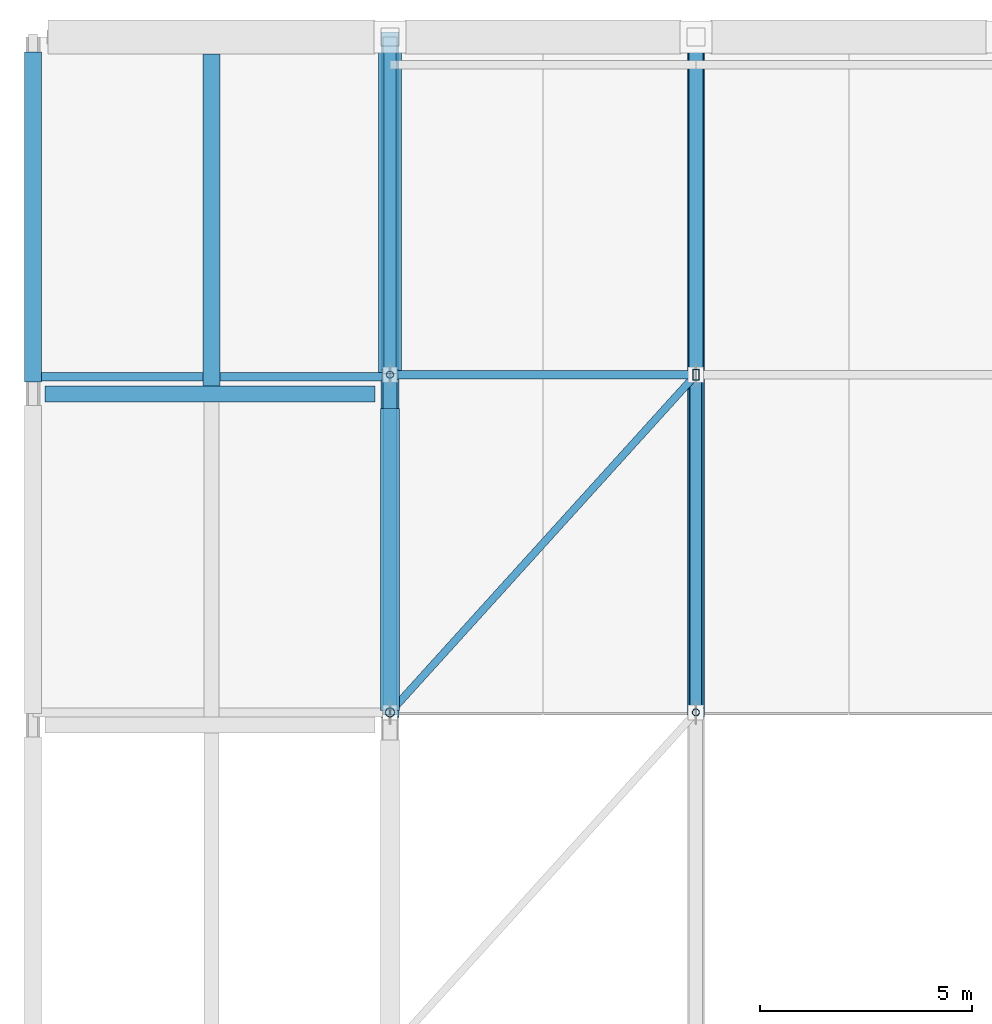
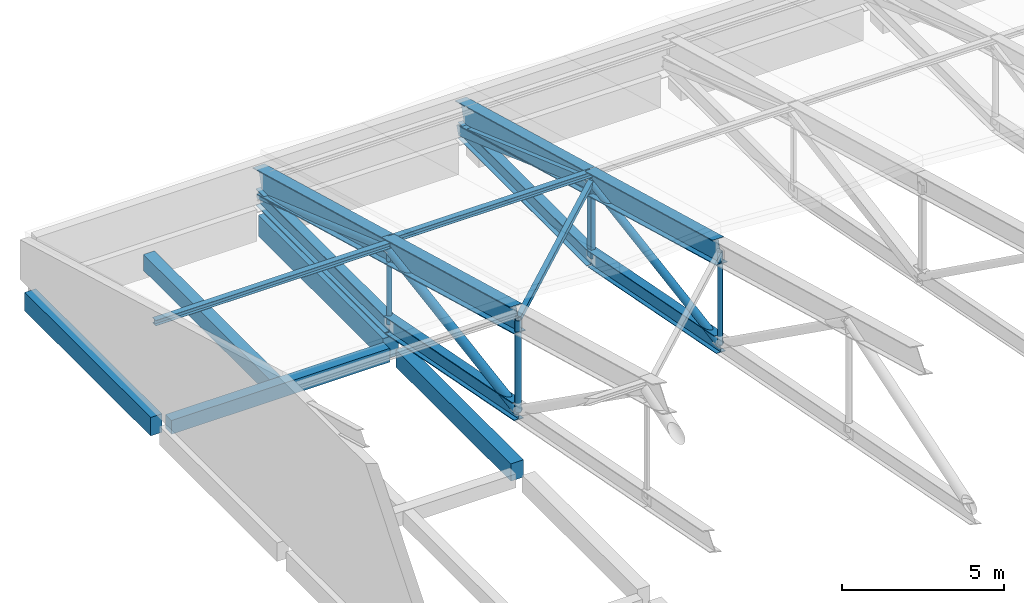
# One storey, part 17 of 53: 13 beams, 11 members.
"""IFC4 building model written with IfcOpenShell, lengths in metres."""

from ifc_helpers import new_model, si_unit, direction, frame, origin, origin_2d, place, context, subcontext, project, spatial, rectangle, hollow_rectangle, hollow_circle, i_section, extrude, material, material_profile, profile_set, type_object, element, save


model = new_model("IFC4")

# Units and contexts
model_context = context("Model", 3, precision=1e-05, world=origin(), true_north=direction((0.0, 1.0)))
body_context = subcontext(model_context, "Body", "Model", "MODEL_VIEW")
ifc_project = project(units=[si_unit("LENGTHUNIT", "METRE"), si_unit("AREAUNIT", "SQUARE_METRE"), si_unit("VOLUMEUNIT", "CUBIC_METRE"), si_unit("PLANEANGLEUNIT", "RADIAN"), si_unit("MASSUNIT", "GRAM", prefix="KILO")], contexts=[model_context])

# Site, building, storey
site_placement = place(None, origin())
site = spatial("IfcSite", under=ifc_project, at=site_placement, CompositionType="ELEMENT")
building_placement = place(site_placement, origin())
building = spatial("IfcBuilding", under=site, at=building_placement, Name="Pellamere Symphony Hall", CompositionType="ELEMENT")
storey_placement = place(building_placement, frame((0.0, 0.0, 24.0)))
storey = spatial("IfcBuildingStorey", under=building, at=storey_placement, Name="L05", CompositionType="ELEMENT", Elevation=24.0)

# Beams
ifc_material_1 = material(Name="Concrete 40 MPa", Category="concrete")
ifc_material_profile_1 = material_profile(ifc_material_1, rectangle(XDim=0.550048828125, YDim=0.800048828125, at=origin_2d()), Name="RC 550x800")
ifc_profile_set_1 = profile_set([ifc_material_profile_1], Name="Concrete 40 MPa")
beam_type_1 = type_object("IfcBeamType", Name="RC CB-05 550x800", PredefinedType="BEAM", material=ifc_profile_set_1)
beam_1_placement = place(storey_placement, frame((58.800048828125, 85.550048828125, -0.659912109375), z_axis=(0.0, 1.0, 0.0), x_axis=(-1.0, 0.0, 0.0)))
element("IfcBeam", 1, at=beam_1_placement, inside=storey, type_object=beam_type_1, Name="Girder CB-05-Y2085 (L05)", PredefinedType="BEAM", context=body_context, shape_type="SweptSolid", body=[
    extrude(rectangle(XDim=0.550048828125, YDim=0.800048828125, at=origin_2d()), origin(), (0.0, 0.0, 1.0), 7.699951171875),
])
ifc_material_profile_2 = material_profile(ifc_material_1, rectangle(XDim=0.449951171875, YDim=0.64990234375, at=origin_2d()), Name="RC 450x650")
ifc_profile_set_2 = profile_set([ifc_material_profile_2], Name="Concrete 40 MPa")
beam_type_2 = type_object("IfcBeamType", Name="RC CB-08 450x650", PredefinedType="BEAM", material=ifc_profile_set_2)
beam_2_placement = place(storey_placement, frame((58.800048828125, 77.75, -0.5849609375), z_axis=(0.0, 1.0, 0.0), x_axis=(-1.0, 0.0, 0.0)))
element("IfcBeam", 2, at=beam_2_placement, inside=storey, type_object=beam_type_2, Name="Girder CB-08-Y2084 (L05)", PredefinedType="BEAM", context=body_context, shape_type="SweptSolid", body=[
    extrude(rectangle(XDim=0.449951171875, YDim=0.64990234375, at=origin_2d()), origin(), (0.0, 0.0, 1.0), 7.10009765625),
])
ifc_material_profile_3 = material_profile(ifc_material_1, rectangle(XDim=0.39990234375, YDim=0.60009765625, at=origin_2d()), Name="RC 400x600")
ifc_profile_set_3 = profile_set([ifc_material_profile_3], Name="Concrete 40 MPa")
beam_type_3 = type_object("IfcBeamType", Name="RC CB-09 400x600", PredefinedType="BEAM", material=ifc_profile_set_3)
beam_3_placement = place(storey_placement, frame((54.60009765625, 85.389892578125, -0.574951171875), z_axis=(0.0, 1.0, 0.0), x_axis=(-1.0, 0.0, 0.0)))
element("IfcBeam", 3, at=beam_3_placement, inside=storey, type_object=beam_type_3, Name="Secondary Floor Beam CB-09-M0611 (L05)", PredefinedType="BEAM", context=body_context, shape_type="SweptSolid", body=[
    extrude(rectangle(XDim=0.39990234375, YDim=0.60009765625, at=origin_2d()), origin(), (0.0, 0.0, 1.0), 7.81005859375),
])
ifc_material_profile_4 = material_profile(ifc_material_1, rectangle(XDim=0.39990234375, YDim=0.699951171875, at=origin_2d()), Name="RC 400x700")
ifc_profile_set_4 = profile_set([ifc_material_profile_4], Name="Concrete 40 MPa")
beam_type_4 = type_object("IfcBeamType", Name="RC CB-13 400x700", PredefinedType="SPANDREL", material=ifc_profile_set_4)
beam_4_placement = place(storey_placement, frame((50.39990234375, 85.47509765625, -0.610107421875), z_axis=(0.0, 1.0, 0.0), x_axis=(-1.0, 0.0, 0.0)))
element("IfcBeam", 4, at=beam_4_placement, inside=storey, type_object=beam_type_4, Name="Girder CB-13-Y2077 (L05)", PredefinedType="SPANDREL", context=body_context, shape_type="SweptSolid", body=[
    extrude(rectangle(XDim=0.39990234375, YDim=0.699951171875, at=origin_2d()), origin(), (0.0, 0.0, 1.0), 7.77490234375),
])
ifc_material_profile_5 = material_profile(ifc_material_1, rectangle(XDim=0.3798828125, YDim=0.52001953125, at=origin_2d()), Name="RC 380x520")
ifc_profile_set_5 = profile_set([ifc_material_profile_5], Name="Concrete 40 MPa")
beam_type_5 = type_object("IfcBeamType", Name="RC CB-21 380x520", PredefinedType="BEAM", material=ifc_profile_set_5)
beam_5_placement = place(storey_placement, frame((50.675048828125, 85.199951171875, -0.52001953125), z_axis=(1.0, 0.0, 0.0), x_axis=(0.0, 1.0, 0.0)))
element("IfcBeam", 5, at=beam_5_placement, inside=storey, type_object=beam_type_5, Name="Girder CB-21-X2056 (L05)", PredefinedType="BEAM", context=body_context, shape_type="SweptSolid", body=[
    extrude(rectangle(XDim=0.3798828125, YDim=0.52001953125, at=origin_2d()), origin(), (0.0, 0.0, 1.0), 7.77490234375),
])
ifc_material_2 = material(Name="Steel CSA G40.21 350W", Category="steel")
ifc_material_profile_6 = material_profile(ifc_material_2, i_section(OverallWidth=0.41796875, OverallDepth=0.912109375, WebThickness=0.019287109375, FlangeThickness=0.031982421875, at=origin_2d()), Name="W920X342")
ifc_profile_set_6 = profile_set([ifc_material_profile_6], Name="Steel CSA G40.21 350W")
beam_type_6 = type_object("IfcBeamType", Name="Steel Beam SB-01 W920X342", PredefinedType="BEAM", material=ifc_profile_set_6)
beam_6_placement = place(storey_placement, frame((58.800048828125, 77.699951171875, 5.158935546875), z_axis=(0.0, 0.964090435702, -0.265574154969), x_axis=(-1.0, 0.0, 0.0)))
element("IfcBeam", 6, at=beam_6_placement, inside=storey, type_object=beam_type_6, Name="Roof Truss TR-01 Top Chord 7", PredefinedType="BEAM", context=body_context, shape_type="SweptSolid", body=[
    extrude(i_section(OverallWidth=0.41796875, OverallDepth=0.912109375, WebThickness=0.019287109375, FlangeThickness=0.031982421875, at=origin_2d()), origin(), (0.0, 0.0, 1.0), 8.24609375),
])
beam_7_placement = place(storey_placement, frame((58.800048828125, 85.64990234375, 2.968994140625), z_axis=(0.0, 0.964092523779, -0.265566574693), x_axis=(-1.0, 0.0, 0.0)))
element("IfcBeam", 7, at=beam_7_placement, inside=storey, type_object=beam_type_6, Name="Roof Truss TR-01 Top Chord 8", PredefinedType="BEAM", context=body_context, shape_type="SweptSolid", body=[
    extrude(i_section(OverallWidth=0.41796875, OverallDepth=0.912109375, WebThickness=0.019287109375, FlangeThickness=0.031982421875, at=origin_2d()), origin(), (0.0, 0.0, 1.0), 8.246337890625),
])
ifc_material_profile_7 = material_profile(ifc_material_2, i_section(OverallWidth=0.39990234375, OverallDepth=0.85498046875, WebThickness=0.018310546875, FlangeThickness=0.029296875, at=origin_2d()), Name="W840X299")
ifc_profile_set_7 = profile_set([ifc_material_profile_7], Name="Steel CSA G40.21 350W")
beam_type_7 = type_object("IfcBeamType", Name="Steel Beam SB-03 W840X299", PredefinedType="BEAM", material=ifc_profile_set_7)
beam_8_placement = place(storey_placement, frame((66.0, 77.699951171875, 5.1875), z_axis=(0.0, 0.964090435702, -0.265574154969), x_axis=(-1.0, 0.0, 0.0)))
element("IfcBeam", 8, at=beam_8_placement, inside=storey, type_object=beam_type_7, Name="Roof Truss TR-02 Top Chord 7", PredefinedType="BEAM", context=body_context, shape_type="SweptSolid", body=[
    extrude(i_section(OverallWidth=0.39990234375, OverallDepth=0.85498046875, WebThickness=0.018310546875, FlangeThickness=0.029296875, at=origin_2d()), origin(), (0.0, 0.0, 1.0), 8.24609375),
])
beam_9_placement = place(storey_placement, frame((66.0, 85.64990234375, 2.99755859375), z_axis=(0.0, 0.964092523779, -0.265566574693), x_axis=(-1.0, 0.0, 0.0)))
element("IfcBeam", 9, at=beam_9_placement, inside=storey, type_object=beam_type_7, Name="Roof Truss TR-02 Top Chord 8", PredefinedType="BEAM", context=body_context, shape_type="SweptSolid", body=[
    extrude(i_section(OverallWidth=0.39990234375, OverallDepth=0.85498046875, WebThickness=0.018310546875, FlangeThickness=0.029296875, at=origin_2d()), origin(), (0.0, 0.0, 1.0), 8.246337890625),
])
ifc_material_profile_8 = material_profile(ifc_material_2, i_section(OverallWidth=0.3291015625, OverallDepth=0.635009765625, WebThickness=0.017822265625, FlangeThickness=0.031005859375, at=origin_2d()), Name="W610X241")
ifc_profile_set_8 = profile_set([ifc_material_profile_8], Name="Steel CSA G40.21 350W")
beam_type_8 = type_object("IfcBeamType", Name="Steel Beam SB-09 W610X241", PredefinedType="BEAM", material=ifc_profile_set_8)
beam_10_placement = place(storey_placement, frame((58.800048828125, 77.699951171875, 1.706787109375), z_axis=(0.0, 0.981591064498, -0.19099471746), x_axis=(-1.0, 0.0, 0.0)))
element("IfcBeam", 10, at=beam_10_placement, inside=storey, type_object=beam_type_8, Name="Roof Truss TR-01 Bottom Chord 7", PredefinedType="BEAM", context=body_context, shape_type="SweptSolid", body=[
    extrude(i_section(OverallWidth=0.3291015625, OverallDepth=0.635009765625, WebThickness=0.017822265625, FlangeThickness=0.031005859375, at=origin_2d()), origin(), (0.0, 0.0, 1.0), 8.09912109375),
])
beam_11_placement = place(storey_placement, frame((58.800048828125, 85.64990234375, 0.159912109375), z_axis=(0.0, 1.0, 0.0), x_axis=(-1.0, 0.0, 0.0)))
element("IfcBeam", 11, at=beam_11_placement, inside=storey, type_object=beam_type_8, Name="Roof Truss TR-01 Bottom Chord 8", PredefinedType="BEAM", context=body_context, shape_type="SweptSolid", body=[
    extrude(i_section(OverallWidth=0.3291015625, OverallDepth=0.635009765625, WebThickness=0.017822265625, FlangeThickness=0.031005859375, at=origin_2d()), origin(), (0.0, 0.0, 1.0), 7.9501953125),
])
ifc_material_profile_9 = material_profile(ifc_material_2, i_section(OverallWidth=0.324951171875, OverallDepth=0.615966796875, WebThickness=0.013916015625, FlangeThickness=0.021484375, at=origin_2d()), Name="W610X174")
ifc_profile_set_9 = profile_set([ifc_material_profile_9], Name="Steel CSA G40.21 350W")
beam_type_9 = type_object("IfcBeamType", Name="Steel Beam SB-10 W610X174", PredefinedType="BEAM", material=ifc_profile_set_9)
beam_12_placement = place(storey_placement, frame((66.0, 77.699951171875, 1.706787109375), z_axis=(0.0, 0.981591064498, -0.19099471746), x_axis=(-1.0, 0.0, 0.0)))
element("IfcBeam", 12, at=beam_12_placement, inside=storey, type_object=beam_type_9, Name="Roof Truss TR-02 Bottom Chord 7", PredefinedType="BEAM", context=body_context, shape_type="SweptSolid", body=[
    extrude(i_section(OverallWidth=0.324951171875, OverallDepth=0.615966796875, WebThickness=0.013916015625, FlangeThickness=0.021484375, at=origin_2d()), origin(), (0.0, 0.0, 1.0), 8.09912109375),
])
beam_13_placement = place(storey_placement, frame((66.0, 85.64990234375, 0.159912109375), z_axis=(0.0, 1.0, 0.0), x_axis=(-1.0, 0.0, 0.0)))
element("IfcBeam", 13, at=beam_13_placement, inside=storey, type_object=beam_type_9, Name="Roof Truss TR-02 Bottom Chord 8", PredefinedType="BEAM", context=body_context, shape_type="SweptSolid", body=[
    extrude(i_section(OverallWidth=0.324951171875, OverallDepth=0.615966796875, WebThickness=0.013916015625, FlangeThickness=0.021484375, at=origin_2d()), origin(), (0.0, 0.0, 1.0), 7.9501953125),
])

# Members
ifc_material_profile_10 = material_profile(ifc_material_2, hollow_rectangle(XDim=0.355712890625, YDim=0.355712890625, WallThickness=0.015869140625, at=origin_2d()), Name="HSS356X356X16")
ifc_profile_set_10 = profile_set([ifc_material_profile_10], Name="Steel CSA G40.21 350W")
member_type_1 = type_object("IfcMemberType", Name="Steel Member SM-01 HSS356X356X16", PredefinedType="CHORD", material=ifc_profile_set_10)
member_1_placement = place(storey_placement, frame((66.0, 85.64990234375, 2.99755859375), z_axis=(0.0, 0.9418060195, -0.336156840826), x_axis=(-1.0, 0.0, 0.0)))
element("IfcMember", 14, at=member_1_placement, inside=storey, type_object=member_type_1, Name="Roof Truss TR-02 Web Diagonal 8", PredefinedType="CHORD", context=body_context, shape_type="SweptSolid", body=[
    extrude(hollow_rectangle(XDim=0.355712890625, YDim=0.355712890625, WallThickness=0.015869140625, at=origin_2d()), origin(), (0.0, 0.0, 1.0), 8.44140625),
])
ifc_material_profile_11 = material_profile(ifc_material_2, hollow_rectangle(XDim=0.177734375, YDim=0.177734375, WallThickness=0.009521484375, at=origin_2d()), Name="HSS178X178X10")
ifc_profile_set_11 = profile_set([ifc_material_profile_11], Name="Steel CSA G40.21 350W")
member_type_2 = type_object("IfcMemberType", Name="Steel Member SM-05 HSS178X178X10", PredefinedType="BRACE", material=ifc_profile_set_11)
member_2_placement = place(storey_placement, frame((58.800048828125, 77.699951171875, 5.158935546875), z_axis=(0.65805118034, 0.726598643159, -0.197542541777), x_axis=(-0.741204587213, 0.67127919668, 0.0)))
element("IfcMember", 15, at=member_2_placement, inside=storey, type_object=member_type_2, Name="Roof Truss Plan Wind Brace 1.6", PredefinedType="BRACE", context=body_context, shape_type="SweptSolid", body=[
    extrude(hollow_rectangle(XDim=0.177734375, YDim=0.177734375, WallThickness=0.009521484375, at=origin_2d()), origin(), (0.0, 0.0, 1.0), 10.94140625),
])
ifc_material_profile_12 = material_profile(ifc_material_2, hollow_rectangle(XDim=0.15234375, YDim=0.25390625, WallThickness=0.010986328125, at=origin_2d()), Name="HSS254X152X11")
ifc_profile_set_12 = profile_set([ifc_material_profile_12], Name="Steel CSA G40.21 350W")
member_type_3 = type_object("IfcMemberType", Name="Steel Member SM-07 HSS254X152X11", PredefinedType="STRUT", material=ifc_profile_set_12)
member_3_placement = place(storey_placement, frame((66.0, 85.64990234375, 0.159912109375), z_axis=(0.0, 0.0, 1.0), x_axis=(1.0, 0.0, 0.0)))
element("IfcMember", 16, at=member_3_placement, inside=storey, type_object=member_type_3, Name="Roof Truss TR-02 Vertical Post 7", PredefinedType="STRUT", context=body_context, shape_type="SweptSolid", body=[
    extrude(hollow_rectangle(XDim=0.15234375, YDim=0.25390625, WallThickness=0.010986328125, at=origin_2d()), origin(), (0.0, 0.0, 1.0), 2.837646484375),
])
ifc_material_profile_13 = material_profile(ifc_material_2, hollow_circle(Radius=0.161865234375, WallThickness=0.010986328125, at=origin_2d()), Name="HSS324X11")
ifc_profile_set_13 = profile_set([ifc_material_profile_13], Name="Steel CSA G40.21 350W")
member_type_4 = type_object("IfcMemberType", Name="Steel Member SM-11 HSS324X11", PredefinedType="BRACE", material=ifc_profile_set_13)
member_4_placement = place(storey_placement, frame((58.800048828125, 77.699951171875, 1.706787109375), z_axis=(0.0, 0.987629564652, 0.156805111607), x_axis=(-1.0, 0.0, 0.0)))
element("IfcMember", 17, at=member_4_placement, inside=storey, type_object=member_type_4, Name="Roof Truss TR-01 Web Diagonal 7", PredefinedType="BRACE", context=body_context, shape_type="SweptSolid", body=[
    extrude(hollow_circle(Radius=0.161865234375, WallThickness=0.010986328125, at=origin_2d()), origin(), (0.0, 0.0, 1.0), 8.049560546875),
])
ifc_material_profile_14 = material_profile(ifc_material_2, hollow_circle(Radius=0.136474609375, WallThickness=0.009521484375, at=origin_2d()), Name="HSS273X10")
ifc_profile_set_14 = profile_set([ifc_material_profile_14], Name="Steel CSA G40.21 350W")
member_type_5 = type_object("IfcMemberType", Name="Steel Member SM-12 HSS273X10", PredefinedType="BRACE", material=ifc_profile_set_14)
member_5_placement = place(storey_placement, frame((58.800048828125, 85.64990234375, 2.968994140625), z_axis=(0.0, 0.942873745129, -0.333150267518), x_axis=(-1.0, 0.0, 0.0)))
element("IfcMember", 18, at=member_5_placement, inside=storey, type_object=member_type_5, Name="Roof Truss TR-01 Web Diagonal 8", PredefinedType="BRACE", context=body_context, shape_type="SweptSolid", body=[
    extrude(hollow_circle(Radius=0.136474609375, WallThickness=0.009521484375, at=origin_2d()), origin(), (0.0, 0.0, 1.0), 8.431884765625),
])
member_6_placement = place(storey_placement, frame((66.0, 77.699951171875, 1.706787109375), z_axis=(0.0, 0.987074261673, 0.160263539031), x_axis=(-1.0, 0.0, 0.0)))
element("IfcMember", 19, at=member_6_placement, inside=storey, type_object=member_type_5, Name="Roof Truss TR-02 Web Diagonal 7", PredefinedType="BRACE", context=body_context, shape_type="SweptSolid", body=[
    extrude(hollow_circle(Radius=0.136474609375, WallThickness=0.009521484375, at=origin_2d()), origin(), (0.0, 0.0, 1.0), 8.053955078125),
])
ifc_material_profile_15 = material_profile(ifc_material_2, hollow_circle(Radius=0.109619140625, WallThickness=0.009521484375, at=origin_2d()), Name="HSS219X10")
ifc_profile_set_15 = profile_set([ifc_material_profile_15], Name="Steel CSA G40.21 350W")
member_type_6 = type_object("IfcMemberType", Name="Steel Member SM-13 HSS219X10", PredefinedType="STRUT", material=ifc_profile_set_15)
member_7_placement = place(storey_placement, frame((58.800048828125, 77.699951171875, 1.706787109375), z_axis=(0.0, 0.0, 1.0), x_axis=(1.0, 0.0, 0.0)))
element("IfcMember", 20, at=member_7_placement, inside=storey, type_object=member_type_6, Name="Roof Truss TR-01 Vertical Post 6", PredefinedType="STRUT", context=body_context, shape_type="SweptSolid", body=[
    extrude(hollow_circle(Radius=0.109619140625, WallThickness=0.009521484375, at=origin_2d()), origin(), (0.0, 0.0, 1.0), 3.4521484375),
])
ifc_material_profile_16 = material_profile(ifc_material_2, hollow_circle(Radius=0.084228515625, WallThickness=0.008056640625, at=origin_2d()), Name="HSS168X8")
ifc_profile_set_16 = profile_set([ifc_material_profile_16], Name="Steel CSA G40.21 350W")
member_type_7 = type_object("IfcMemberType", Name="Steel Member SM-14 HSS168X8", PredefinedType="COLLAR", material=ifc_profile_set_16)
member_8_placement = place(storey_placement, frame((58.800048828125, 85.64990234375, 0.159912109375), z_axis=(0.0, 0.0, 1.0), x_axis=(1.0, 0.0, 0.0)))
element("IfcMember", 21, at=member_8_placement, inside=storey, type_object=member_type_7, Name="Roof Truss TR-01 Vertical Post 7", PredefinedType="COLLAR", context=body_context, shape_type="SweptSolid", body=[
    extrude(hollow_circle(Radius=0.084228515625, WallThickness=0.008056640625, at=origin_2d()), origin(), (0.0, 0.0, 1.0), 2.80908203125),
])
member_9_placement = place(storey_placement, frame((66.0, 77.699951171875, 1.706787109375), z_axis=(0.0, 0.0, 1.0), x_axis=(1.0, 0.0, 0.0)))
element("IfcMember", 22, at=member_9_placement, inside=storey, type_object=member_type_7, Name="Roof Truss TR-02 Vertical Post 6", PredefinedType="COLLAR", context=body_context, shape_type="SweptSolid", body=[
    extrude(hollow_circle(Radius=0.084228515625, WallThickness=0.008056640625, at=origin_2d()), origin(), (0.0, 0.0, 1.0), 3.480712890625),
])
ifc_material_profile_17 = material_profile(ifc_material_2, i_section(OverallWidth=0.2041015625, OverallDepth=0.2060546875, WebThickness=0.0078125, FlangeThickness=0.0126953125, at=origin_2d()), Name="W200X52")
ifc_profile_set_17 = profile_set([ifc_material_profile_17], Name="Steel CSA G40.21 350W")
member_type_8 = type_object("IfcMemberType", Name="Steel Member SM-15 W200X52", PredefinedType="PURLIN", material=ifc_profile_set_17)
member_10_placement = place(storey_placement, frame((58.800048828125, 85.64990234375, 3.322021484375), z_axis=(1.0, 0.0, 0.0), x_axis=(0.0, 1.0, 0.0)))
element("IfcMember", 23, at=member_10_placement, inside=storey, type_object=member_type_8, Name="Folded Roof Purlin 1.7", PredefinedType="PURLIN", context=body_context, shape_type="SweptSolid", body=[
    extrude(i_section(OverallWidth=0.2041015625, OverallDepth=0.2060546875, WebThickness=0.0078125, FlangeThickness=0.0126953125, at=origin_2d()), origin(), (0.0, 0.0, 1.0), 7.199951171875),
])
member_11_placement = place(storey_placement, frame((50.39990234375, 85.60009765625, 3.203857421875), z_axis=(1.0, 0.0, 0.0), x_axis=(0.0, 1.0, 0.0)))
element("IfcMember", 24, at=member_11_placement, inside=storey, type_object=member_type_8, Name="Crystal Foyer Roof Purlin W.7", PredefinedType="PURLIN", context=body_context, shape_type="SweptSolid", body=[
    extrude(i_section(OverallWidth=0.2041015625, OverallDepth=0.2060546875, WebThickness=0.0078125, FlangeThickness=0.0126953125, at=origin_2d()), origin(), (0.0, 0.0, 1.0), 8.400146484375),
])

save(model, "model.ifc")
